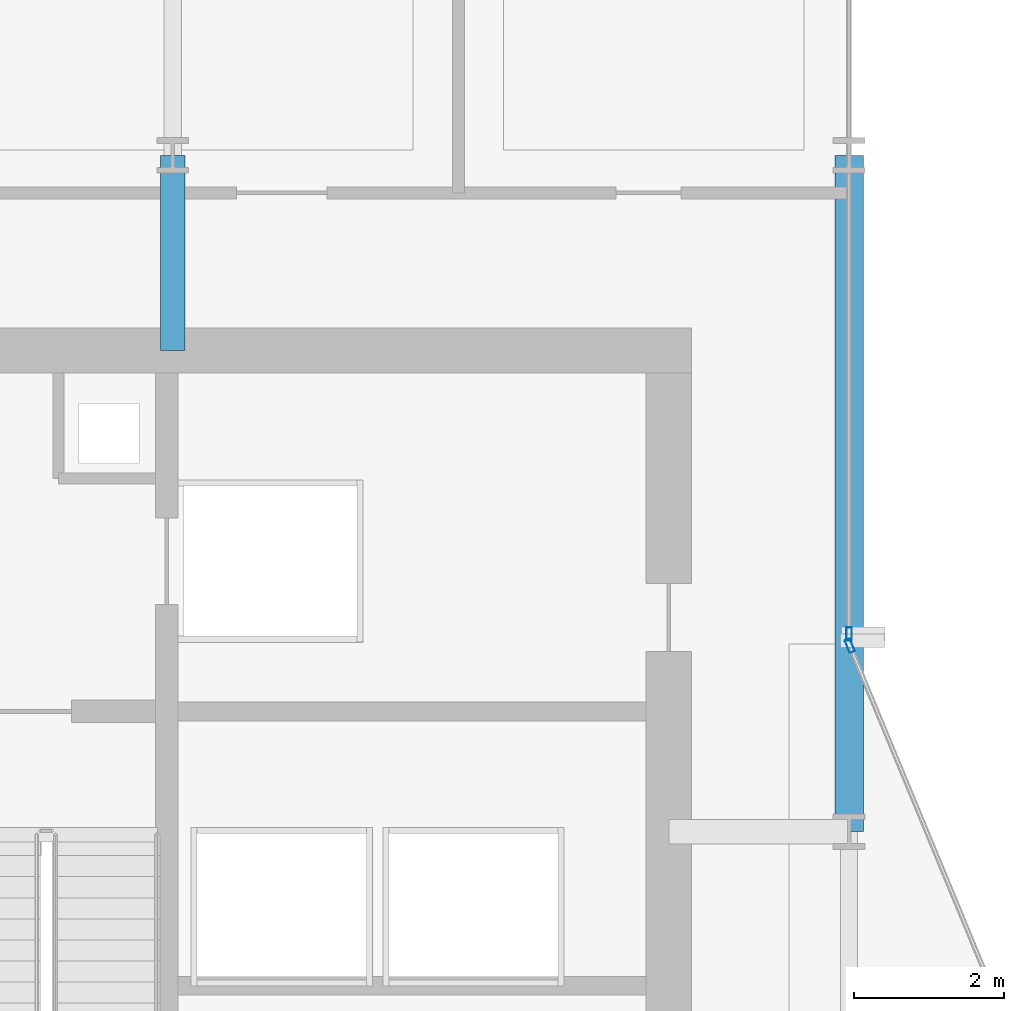
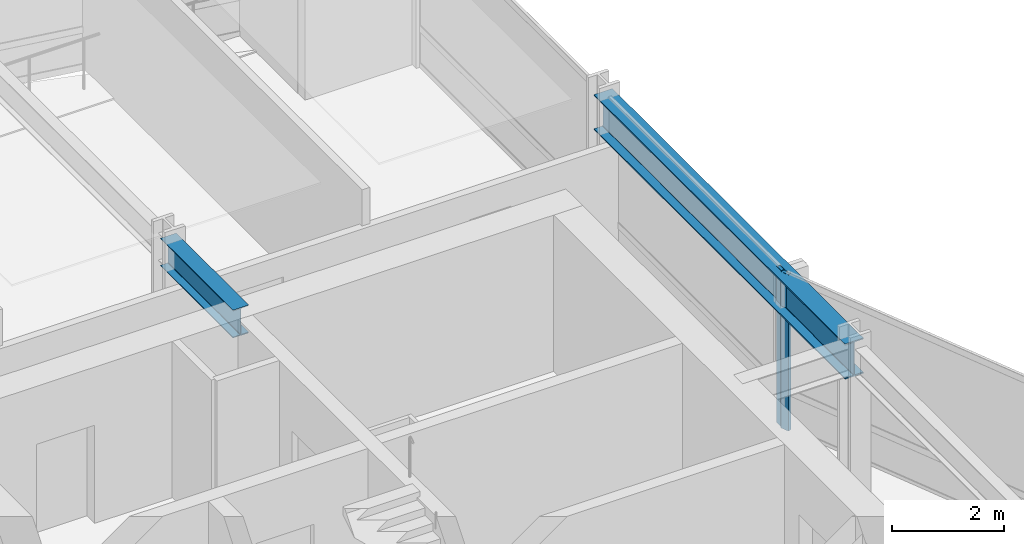
# One storey, part 21 of 34: 2 beams, 2 members, 2 elements without a shape of their own.
"""IFC4 building model written with IfcOpenShell, lengths in metres."""

from ifc_helpers import new_model, si_unit, direction, frame, origin, origin_2d, place, context, subcontext, project, spatial, hollow_rectangle, i_section, extrude, material, layer, layer_set, material_profile, profile_set, type_object, element, aggregate, save


model = new_model("IFC4")

# Units and contexts
model_context = context("Model", 3, precision=1e-05, world=origin(), true_north=direction((0.0, 1.0)))
body_context = subcontext(model_context, "Body", "Model", "MODEL_VIEW")
ifc_project = project(units=[si_unit("LENGTHUNIT", "METRE"), si_unit("AREAUNIT", "SQUARE_METRE"), si_unit("VOLUMEUNIT", "CUBIC_METRE"), si_unit("PLANEANGLEUNIT", "RADIAN"), si_unit("MASSUNIT", "GRAM", prefix="KILO")], contexts=[model_context])

# Site, building, storey
site_placement = place(None, origin())
site = spatial("IfcSite", under=ifc_project, at=site_placement, CompositionType="ELEMENT")
building_placement = place(site_placement, origin())
building = spatial("IfcBuilding", under=site, at=building_placement, Name="Solvaryn Broadcast Tower", CompositionType="ELEMENT")
storey_placement = place(building_placement, frame((0.0, 0.0, 69.300048828125)))
storey = spatial("IfcBuildingStorey", under=building, at=storey_placement, Name="L16", CompositionType="ELEMENT", Elevation=69.300048828125)

# Beams
ifc_material_1 = material(Name="Steel ASTM A992 Grade 50", Category="steel")
ifc_material_profile_1 = material_profile(ifc_material_1, i_section(OverallWidth=0.323974609375, OverallDepth=0.611083984375, WebThickness=0.0126953125, FlangeThickness=0.01904296875, FilletRadius=0.014892578125, at=origin_2d()))
ifc_profile_set_1 = profile_set([ifc_material_profile_1], Name="Steel ASTM A992 Grade 50")
beam_type_1 = type_object("IfcBeamType", Name="BM-B1-W24X104", PredefinedType="BEAM", material=ifc_profile_set_1)
beam_1_placement = place(storey_placement, frame((18.0, 42.39990234375, 3.114501953125), z_axis=(0.0, 1.0, 0.0), x_axis=(-1.0, 0.0, 0.0)))
element("IfcBeam", 1, at=beam_1_placement, inside=storey, type_object=beam_type_1, Name="L16 Core Tie Beam CTW3", PredefinedType="BEAM", context=body_context, shape_type="SweptSolid", body=[
    extrude(i_section(OverallWidth=0.323974609375, OverallDepth=0.611083984375, WebThickness=0.0126953125, FlangeThickness=0.01904296875, FilletRadius=0.014892578125, at=origin_2d()), origin(), (0.0, 0.0, 1.0), 2.60009765625),
])
ifc_material_2 = material(Name="Steel ASTM A992 Grade 50", Category="steel")
ifc_material_profile_2 = material_profile(ifc_material_2, i_section(OverallWidth=0.381103515625, OverallDepth=0.77294921875, WebThickness=0.0166015625, FlangeThickness=0.027099609375, FilletRadius=0.01806640625, at=origin_2d()))
ifc_profile_set_2 = profile_set([ifc_material_profile_2], Name="Steel ASTM A992 Grade 50")
beam_type_2 = type_object("IfcBeamType", Name="BM-SP1-W30X173", PredefinedType="USERDEFINED", material=ifc_profile_set_2)
beam_2_placement = place(storey_placement, frame((27.0, 36.0, 3.033447265625), z_axis=(0.0, 1.0, 0.0), x_axis=(-1.0, 0.0, 0.0)))
element("IfcBeam", 2, at=beam_2_placement, inside=storey, type_object=beam_type_2, Name="L16 Spandrel Beam Y (36-45 @ X=27)", ObjectType="SPANDREL", PredefinedType="USERDEFINED", context=body_context, shape_type="SweptSolid", body=[
    extrude(i_section(OverallWidth=0.381103515625, OverallDepth=0.77294921875, WebThickness=0.0166015625, FlangeThickness=0.027099609375, FilletRadius=0.01806640625, at=origin_2d()), origin(), (0.0, 0.0, 1.0), 9.0),
])

# Curtain wall, member
ifc_material_3 = material(Name="Aluminium and Terracotta Unitised Curtain Wall", Category="masonry")
ifc_layer = layer(ifc_material_3, 0.199951171875)
ifc_layer_set = layer_set([ifc_layer], Name="CW-SYS2-LOWMID")
curtain_wall_type = type_object("IfcCurtainWallType", Name="CW-SYS2-LOWMID", PredefinedType="NOTDEFINED", material=ifc_layer_set)
curtain_wall_1_placement = place(storey_placement, origin())
curtain_wall_1 = element("IfcCurtainWall", 3, at=curtain_wall_1_placement, inside=storey, type_object=curtain_wall_type, Name="L16 Curtain Wall IV", PredefinedType="NOTDEFINED")
ifc_material_4 = material(Name="Anodised Aluminium 6063-T6", Category="aluminium")
ifc_material_profile_3 = material_profile(ifc_material_4, hollow_rectangle(XDim=0.074951171875, YDim=0.179931640625, WallThickness=0.00390625, InnerFilletRadius=0.00390625, OuterFilletRadius=0.008056640625, at=origin_2d()))
ifc_profile_set_3 = profile_set([ifc_material_profile_3], Name="Anodised Aluminium 6063-T6")
member_type = type_object("IfcMemberType", Name="CW-MUL-180", PredefinedType="MULLION", material=ifc_profile_set_3)
member_1_placement = place(storey_placement, frame((27.0, 38.6298828125, 0.0), z_axis=(0.0, 0.0, 1.0), x_axis=(1.0, 0.0, 0.0)))
member_1 = element("IfcMember", 4, at=member_1_placement, type_object=member_type, Name="CWS2 mullion 2", PredefinedType="MULLION", context=body_context, shape_type="SweptSolid", body=[
    extrude(hollow_rectangle(XDim=0.074951171875, YDim=0.179931640625, WallThickness=0.00390625, InnerFilletRadius=0.00390625, OuterFilletRadius=0.008056640625, at=origin_2d()), origin(), (0.0, 0.0, 1.0), 3.419921875),
])
aggregate(curtain_wall_1, [member_1])

curtain_wall_2_placement = place(storey_placement, origin())
curtain_wall_2 = element("IfcCurtainWall", 5, at=curtain_wall_2_placement, inside=storey, type_object=curtain_wall_type, Name="L16 Curtain Wall CN2", PredefinedType="NOTDEFINED")
member_2_placement = place(storey_placement, frame((27.011474609375, 38.47216796875, 0.0), z_axis=(0.0, 0.0, 1.0), x_axis=(-0.923894983957, -0.382646127145, 0.0)))
member_2 = element("IfcMember", 6, at=member_2_placement, type_object=member_type, Name="CWS2 mullion 2", PredefinedType="MULLION", context=body_context, shape_type="SweptSolid", body=[
    extrude(hollow_rectangle(XDim=0.074951171875, YDim=0.179931640625, WallThickness=0.00390625, InnerFilletRadius=0.00390625, OuterFilletRadius=0.008056640625, at=origin_2d()), origin(), (0.0, 0.0, 1.0), 3.419921875),
])
aggregate(curtain_wall_2, [member_2])

save(model, "model.ifc")
